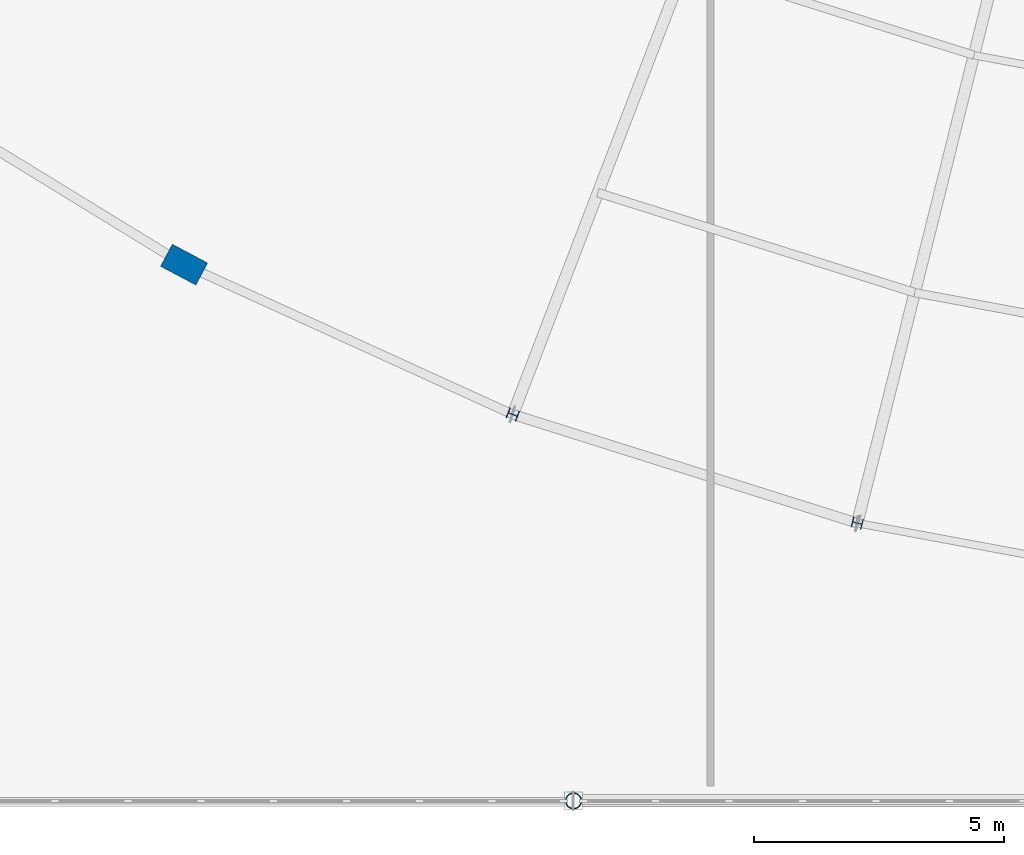
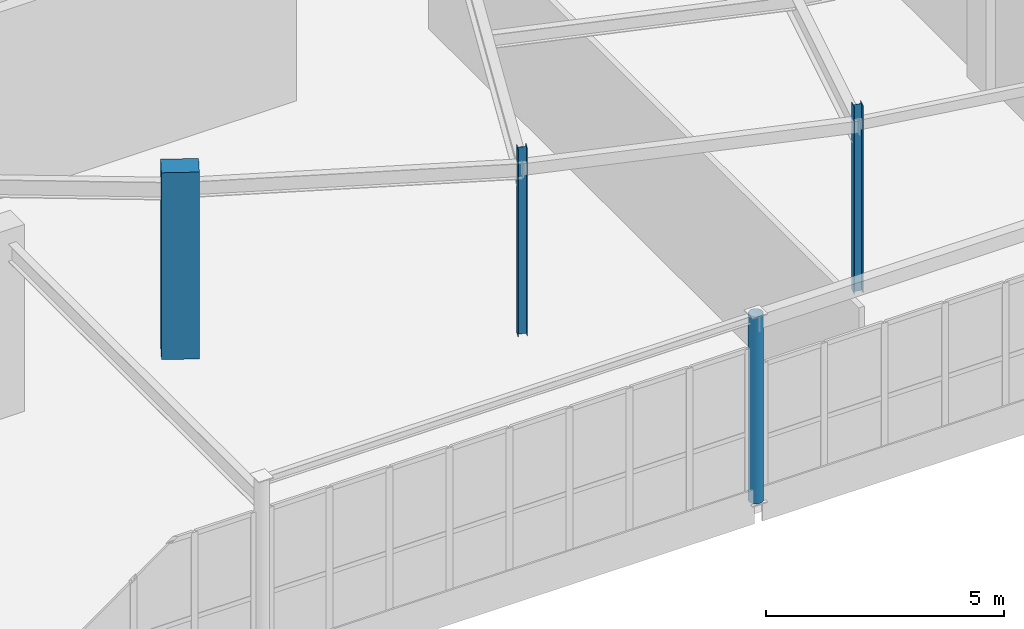
# One storey, part 5 of 186: 4 columns.
"""IFC4 building model written with IfcOpenShell, lengths in metres."""

from ifc_helpers import new_model, si_unit, direction, frame, origin, origin_2d, place, context, subcontext, project, spatial, rectangle, hollow_circle, i_section, extrude, material, material_profile, profile_set, type_object, element, save


model = new_model("IFC4")

# Units and contexts
model_context = context("Model", 3, precision=1e-05, world=origin(), true_north=direction((0.0, 1.0)))
body_context = subcontext(model_context, "Body", "Model", "MODEL_VIEW")
ifc_project = project(units=[si_unit("LENGTHUNIT", "METRE"), si_unit("AREAUNIT", "SQUARE_METRE"), si_unit("VOLUMEUNIT", "CUBIC_METRE"), si_unit("PLANEANGLEUNIT", "RADIAN"), si_unit("MASSUNIT", "GRAM", prefix="KILO")], contexts=[model_context])

# Site, building, storey
site_placement = place(None, origin())
site = spatial("IfcSite", under=ifc_project, at=site_placement, CompositionType="ELEMENT")
building_placement = place(site_placement, origin())
building = spatial("IfcBuilding", under=site, at=building_placement, Name="Tarnwether General Hospital", CompositionType="ELEMENT")
storey_placement = place(building_placement, frame((0.0, 0.0, 9.60009765625)))
storey = spatial("IfcBuildingStorey", under=building, at=storey_placement, Name="L02", CompositionType="ELEMENT", Elevation=9.60009765625)

# Columns
ifc_material_1 = material(Name="Concrete 50 MPa", Category="concrete")
ifc_material_profile_1 = material_profile(ifc_material_1, rectangle(XDim=0.5, YDim=0.800048828125, at=origin_2d()), Name="RC-PIL-500x800")
ifc_profile_set_1 = profile_set([ifc_material_profile_1], Name="Concrete 50 MPa")
column_type_1 = type_object("IfcColumnType", Name="COL-23", PredefinedType="PILASTER", material=ifc_profile_set_1)
column_1_placement = place(storey_placement, frame((64.20703125, 10.72998046875, 0.0), z_axis=(0.0, 0.0, 1.0), x_axis=(0.469471562786, 0.882947592859, 0.0)))
element("IfcColumn", 1, at=column_1_placement, inside=storey, type_object=column_type_1, Name="Column COLG-L02-6421_1073", PredefinedType="PILASTER", context=body_context, shape_type="SweptSolid", body=[
    extrude(rectangle(XDim=0.5, YDim=0.800048828125, at=origin_2d()), origin(), (0.0, 0.0, 1.0), 4.7998046875),
])
ifc_material_2 = material(Name="Steel Grade 350 (350 MPa)", Category="steel")
ifc_material_profile_2 = material_profile(ifc_material_2, i_section(OverallWidth=0.205078125, OverallDepth=0.2099609375, WebThickness=0.00927734375, FlangeThickness=0.01416015625, at=origin_2d()), Name="200UC59.5")
ifc_profile_set_2 = profile_set([ifc_material_profile_2], Name="Steel Grade 350 (350 MPa)")
column_type_2 = type_object("IfcColumnType", Name="COL-25", PredefinedType="COLUMN", material=ifc_profile_set_2)
column_2_placement = place(storey_placement, frame((70.784912109375, 7.73193359375, 0.0), z_axis=(0.0, 0.0, 1.0), x_axis=(0.358367949545, 0.933580426497, 0.0)))
element("IfcColumn", 2, at=column_2_placement, inside=storey, type_object=column_type_2, Name="Column COLG-L02-7078_773", PredefinedType="COLUMN", context=body_context, shape_type="SweptSolid", body=[
    extrude(i_section(OverallWidth=0.205078125, OverallDepth=0.2099609375, WebThickness=0.00927734375, FlangeThickness=0.01416015625, at=origin_2d()), origin(), (0.0, 0.0, 1.0), 4.7998046875),
])
ifc_material_3 = material(Name="Steel Grade C350L0 (350 MPa)", Category="steel")
ifc_material_profile_3 = material_profile(ifc_material_3, hollow_circle(Radius=0.161865234375, WallThickness=0.0126953125, at=origin_2d()), Name="CHS323.9x12.7")
ifc_profile_set_3 = profile_set([ifc_material_profile_3], Name="Steel Grade C350L0 (350 MPa)")
column_type_3 = type_object("IfcColumnType", Name="COL-26", PredefinedType="COLUMN", material=ifc_profile_set_3)
column_3_placement = place(storey_placement, frame((72.0, 0.0, 0.0), z_axis=(0.0, 0.0, 1.0), x_axis=(1.0, 0.0, 0.0)))
element("IfcColumn", 3, at=column_3_placement, inside=storey, type_object=column_type_3, Name="Column COLG-L02-7200_0", PredefinedType="COLUMN", context=body_context, shape_type="SweptSolid", body=[
    extrude(hollow_circle(Radius=0.161865234375, WallThickness=0.0126953125, at=origin_2d()), origin(), (0.0, 0.0, 1.0), 4.7998046875),
])
ifc_material_4 = material(Name="Steel Grade 350 (350 MPa)", Category="steel")
ifc_material_profile_4 = material_profile(ifc_material_4, i_section(OverallWidth=0.202880859375, OverallDepth=0.202880859375, WebThickness=0.00732421875, FlangeThickness=0.010986328125, at=origin_2d()), Name="200UC46.2")
ifc_profile_set_4 = profile_set([ifc_material_profile_4], Name="Steel Grade 350 (350 MPa)")
column_type_4 = type_object("IfcColumnType", Name="COL-27", PredefinedType="COLUMN", material=ifc_profile_set_4)
column_4_placement = place(storey_placement, frame((77.677978515625, 5.55810546875, 0.0), z_axis=(0.0, 0.0, 1.0), x_axis=(0.2419218956, 0.970295726276, 0.0)))
element("IfcColumn", 4, at=column_4_placement, inside=storey, type_object=column_type_4, Name="Column COLG-L02-7768_556", PredefinedType="COLUMN", context=body_context, shape_type="SweptSolid", body=[
    extrude(i_section(OverallWidth=0.202880859375, OverallDepth=0.202880859375, WebThickness=0.00732421875, FlangeThickness=0.010986328125, at=origin_2d()), origin(), (0.0, 0.0, 1.0), 4.7998046875),
])

save(model, "model.ifc")
